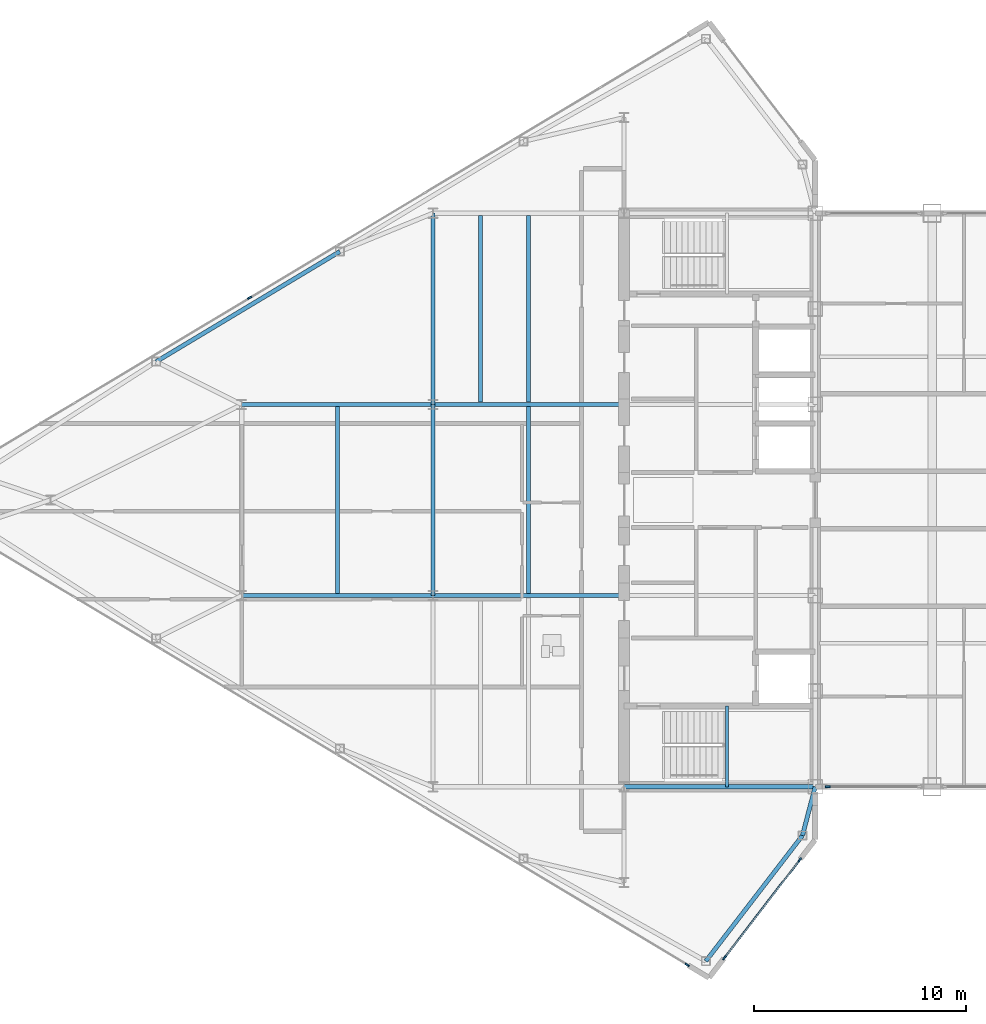
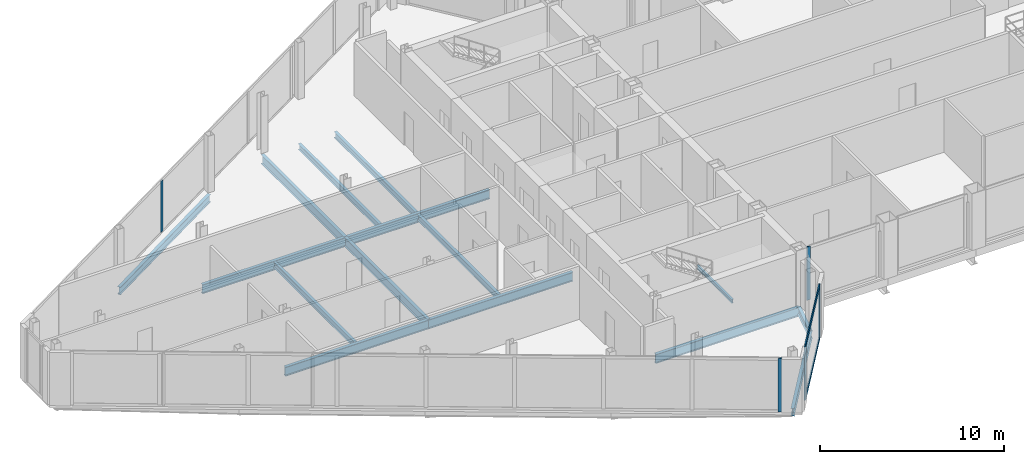
# One storey, part 9 of 29: 15 beams, 7 members, 4 elements without a shape of their own.
"""IFC4 building model written with IfcOpenShell, lengths in metres."""

from ifc_helpers import new_model, si_unit, direction, frame, origin, origin_2d, place, context, subcontext, project, spatial, rectangle, i_section, extrude, source, transform, mapped, material, layer, layer_set, material_profile, profile_set, type_object, type_shapes, element, aggregate, save


model = new_model("IFC4")

# Units and contexts
model_context = context("Model", 3, precision=1e-05, world=origin(), true_north=direction((0.0, 1.0)))
body_context = subcontext(model_context, "Body", "Model", "MODEL_VIEW")
ifc_project = project(units=[si_unit("LENGTHUNIT", "METRE"), si_unit("AREAUNIT", "SQUARE_METRE"), si_unit("VOLUMEUNIT", "CUBIC_METRE"), si_unit("PLANEANGLEUNIT", "RADIAN"), si_unit("MASSUNIT", "GRAM", prefix="KILO")], contexts=[model_context])

# Site, building, storey
site_placement = place(None, origin())
site = spatial("IfcSite", under=ifc_project, at=site_placement, CompositionType="ELEMENT")
building_placement = place(site_placement, origin())
building = spatial("IfcBuilding", under=site, at=building_placement, Name="Seokmaru Belvedere", CompositionType="ELEMENT")
storey_placement = place(building_placement, frame((0.0, 0.0, 243.14990234375)))
storey = spatial("IfcBuildingStorey", under=building, at=storey_placement, Name="L64", CompositionType="ELEMENT", Elevation=243.14990234375)

# Beams
ifc_material_1 = material(Name="Steel SM355 (355 MPa)", Category="steel")
ifc_material_profile_1 = material_profile(ifc_material_1, i_section(OverallWidth=0.199951171875, OverallDepth=0.60009765625, WebThickness=0.010986328125, FlangeThickness=0.01708984375, at=origin_2d()), Name="H-600x200x11x17")
ifc_profile_set_1 = profile_set([ifc_material_profile_1], Name="Steel SM355 (355 MPa)")
beam_type_1 = type_object("IfcBeamType", Name="Primary Floor Girder H-600", PredefinedType="BEAM", material=ifc_profile_set_1)
shared_shape_1 = source(origin(), body_context, "Body", "SweptSolid", [
    extrude(i_section(OverallWidth=0.199951171875, OverallDepth=0.60009765625, WebThickness=0.010986328125, FlangeThickness=0.01708984375, at=origin_2d()), origin(), (0.0, 0.0, 1.0), 9.0),
])
type_shapes(beam_type_1, [shared_shape_1])
for number, where, z_axis, x_axis, name in (
    (1, (-45.5, -4.5, -0.52001953125), (0.0, 1.0, 0.0), (-1.0, 0.0, 0.0), "L64 W Interior Grid Girder 2"),
    (2, (-45.5, 4.5, -0.52001953125), (0.0, 1.0, 0.0), (-1.0, 0.0, 0.0), "L64 W Interior Grid Girder 3"),
    (3, (-36.5, -13.5, -0.52001953125), (1.0, 0.0, 0.0), (0.0, 1.0, 0.0), "L64 W Core Tie Girder 1"),
    (4, (-45.5, -4.5, -0.52001953125), (1.0, 0.0, 0.0), (0.0, 1.0, 0.0), "L64 W Wing Primary Girder 2"),
    (5, (-45.5, 4.5, -0.52001953125), (1.0, 0.0, 0.0), (0.0, 1.0, 0.0), "L64 W Wing Primary Girder 3"),
    (6, (-54.5, -4.5, -0.52001953125), (1.0, 0.0, 0.0), (0.0, 1.0, 0.0), "L64 W Outer Wing Girder 1"),
    (7, (-54.5, 4.5, -0.52001953125), (1.0, 0.0, 0.0), (0.0, 1.0, 0.0), "L64 W Outer Wing Girder 2"),
):
    element("IfcBeam", number, at=place(storey_placement, frame(where, z_axis=z_axis, x_axis=x_axis)), inside=storey, type_object=beam_type_1, Name=name, PredefinedType="BEAM", context=body_context, shape_type="MappedRepresentation", body=[
        mapped(shared_shape_1, transform((0.0, 0.0, 0.0), scale=1.0)),
    ])
ifc_material_profile_2 = material_profile(ifc_material_1, i_section(OverallWidth=0.18505859375, OverallDepth=0.389892578125, WebThickness=0.008056640625, FlangeThickness=0.011962890625, at=origin_2d()), Name="H-390x185x8x12")
ifc_profile_set_2 = profile_set([ifc_material_profile_2], Name="Steel SM355 (355 MPa)")
beam_type_2 = type_object("IfcBeamType", Name="Secondary Floor Joist H-350", PredefinedType="JOIST", material=ifc_profile_set_2)
shared_shape_2 = source(origin(), body_context, "Body", "SweptSolid", [
    extrude(i_section(OverallWidth=0.18505859375, OverallDepth=0.389892578125, WebThickness=0.008056640625, FlangeThickness=0.011962890625, at=origin_2d()), origin(), (0.0, 0.0, 1.0), 8.7900390625),
])
type_shapes(beam_type_2, [shared_shape_2])
for number, where, z_axis, x_axis, name in (
    (8, (-43.25, 4.60498046875, -0.414794921875), (0.0, 1.0, 0.0), (-1.0, 0.0, 0.0), "L64 W Wing Inner Secondary Joist 2"),
    (9, (-41.0, -4.39501953125, -0.414794921875), (0.0, 1.0, 0.0), (-1.0, 0.0, 0.0), "L64 W Secondary Floor Joist 2"),
    (10, (-41.0, 4.60498046875, -0.414794921875), (0.0, 1.0, 0.0), (-1.0, 0.0, 0.0), "L64 W Secondary Floor Joist 3"),
    (11, (-50.0, -4.39501953125, -0.414794921875), (0.0, 1.0, 0.0), (-1.0, 0.0, 0.0), "L64 W Outer Bay Secondary Joist"),
):
    element("IfcBeam", number, at=place(storey_placement, frame(where, z_axis=z_axis, x_axis=x_axis)), inside=storey, type_object=beam_type_2, Name=name, PredefinedType="JOIST", context=body_context, shape_type="MappedRepresentation", body=[
        mapped(shared_shape_2, transform((0.0, 0.0, 0.0), scale=1.0)),
    ])
ifc_material_profile_3 = material_profile(ifc_material_1, i_section(OverallWidth=0.199951171875, OverallDepth=0.5, WebThickness=0.010009765625, FlangeThickness=0.01611328125, at=origin_2d()), Name="H-500x200x10x16")
ifc_profile_set_3 = profile_set([ifc_material_profile_3], Name="Steel SM355 (355 MPa)")
beam_type_3 = type_object("IfcBeamType", Name="Perimeter Spandrel Beam H-500", PredefinedType="SPANDREL", material=ifc_profile_set_3)
shared_shape_3 = source(origin(), body_context, "Body", "SweptSolid", [
    extrude(i_section(OverallWidth=0.199951171875, OverallDepth=0.5, WebThickness=0.010009765625, FlangeThickness=0.01611328125, at=origin_2d()), origin(), (0.0, 0.0, 1.0), 10.087646484375),
])
beam_1_placement = place(storey_placement, frame((-49.8798828125, 11.698974609375, -0.469970703125), z_axis=(-0.857488654804, -0.514502873542, 0.0), x_axis=(0.514502873542, -0.857488654804, 0.0)))
element("IfcBeam", 12, at=beam_1_placement, inside=storey, type_object=beam_type_3, Name="L64 W Faceted Flank Spandrel N-3", PredefinedType="SPANDREL", context=body_context, shape_type="MappedRepresentation", body=[
    mapped(shared_shape_3, transform((0.0, 0.0, 0.0), scale=1.0)),
])
shared_shape_4 = source(origin(), body_context, "Body", "SweptSolid", [
    extrude(i_section(OverallWidth=0.199951171875, OverallDepth=0.5, WebThickness=0.010009765625, FlangeThickness=0.01611328125, at=origin_2d()), origin(), (0.0, 0.0, 1.0), 7.4619140625),
])
beam_2_placement = place(storey_placement, frame((-32.649658203125, -21.71044921875, -0.469970703125), z_axis=(0.609702854945, 0.792630070507, 0.0), x_axis=(-0.792630070507, 0.609702854945, 0.0)))
element("IfcBeam", 13, at=beam_2_placement, inside=storey, type_object=beam_type_3, Name="L64 W Shoulder Chamfer Spandrel S", PredefinedType="SPANDREL", context=body_context, shape_type="MappedRepresentation", body=[
    mapped(shared_shape_4, transform((0.0, 0.0, 0.0), scale=1.0)),
])
shared_shape_5 = source(origin(), body_context, "Body", "SweptSolid", [
    extrude(i_section(OverallWidth=0.199951171875, OverallDepth=0.5, WebThickness=0.010009765625, FlangeThickness=0.01611328125, at=origin_2d()), origin(), (0.0, 0.0, 1.0), 2.373046875),
])
type_shapes(beam_type_3, [shared_shape_3, shared_shape_4, shared_shape_5])
beam_3_placement = place(storey_placement, frame((-28.10009765625, -15.7958984375, -0.469970703125), z_axis=(0.252882558842, 0.967496982648, 0.0), x_axis=(-0.967496982648, 0.252882558842, 0.0)))
element("IfcBeam", 14, at=beam_3_placement, inside=storey, type_object=beam_type_3, Name="L64 W Shoulder Spine Spandrel S", PredefinedType="SPANDREL", context=body_context, shape_type="MappedRepresentation", body=[
    mapped(shared_shape_5, transform((0.0, 0.0, 0.0), scale=1.0)),
])

# Curtain wall, members
ifc_material_2 = material(Name="Bronze Triple Insulating Glass", Category="glass")
ifc_layer = layer(ifc_material_2, 0.219970703125)
ifc_layer_set = layer_set([ifc_layer], Name="Bronze Triple Insulating Glass")
curtain_wall_type = type_object("IfcCurtainWallType", Name="Sky-Gate Bridge Panorama Curtain Wall System CW-6", PredefinedType="NOTDEFINED", material=ifc_layer_set)
curtain_wall_1_placement = place(storey_placement, origin())
curtain_wall_1 = element("IfcCurtainWall", 15, at=curtain_wall_1_placement, inside=storey, type_object=curtain_wall_type, Name="L64 Curtain Wall WF6", PredefinedType="NOTDEFINED")
ifc_material_3 = material(Name="Anodised Bronze Aluminium", Category="aluminium")
ifc_material_profile_4 = material_profile(ifc_material_3, rectangle(XDim=0.074951171875, YDim=0.179931640625, at=origin_2d()), Name="CW-T-75x180")
ifc_profile_set_4 = profile_set([ifc_material_profile_4], Name="Anodised Bronze Aluminium")
member_type_1 = type_object("IfcMemberType", Name="Bronze Unitised Transom 75x180", PredefinedType="USERDEFINED", material=ifc_profile_set_4)
shared_shape_6 = source(origin(), body_context, "Body", "SweptSolid", [
    extrude(rectangle(XDim=0.074951171875, YDim=0.179931640625, at=origin_2d()), origin(), (0.0, 0.0, 1.0), 5.74072265625),
])
type_shapes(member_type_1, [shared_shape_6])
member_1_placement = place(storey_placement, frame((-31.75, -21.525146484375, 0.03759765625), z_axis=(0.609686097287, 0.792642960465, 0.0), x_axis=(-0.792642960465, 0.609686097287, 0.0)))
member_1 = element("IfcMember", 16, at=member_1_placement, type_object=member_type_1, Name="CW:L64:WF6 Continuous Transom 1", ObjectType="TRANSOM", PredefinedType="USERDEFINED", context=body_context, shape_type="MappedRepresentation", body=[
    mapped(shared_shape_6, transform((0.0, 0.0, 0.0), scale=1.0)),
])
member_2_placement = place(storey_placement, frame((-31.75, -21.525146484375, 3.49267578125), z_axis=(0.609686097287, 0.792642960465, 0.0), x_axis=(-0.792642960465, 0.609686097287, 0.0)))
member_2 = element("IfcMember", 17, at=member_2_placement, type_object=member_type_1, Name="CW:L64:WF6 Continuous Transom 2", ObjectType="TRANSOM", PredefinedType="USERDEFINED", context=body_context, shape_type="MappedRepresentation", body=[
    mapped(shared_shape_6, transform((0.0, 0.0, 0.0), scale=1.0)),
])

# Curtain wall, member
curtain_wall_2_placement = place(storey_placement, origin())
curtain_wall_2 = element("IfcCurtainWall", 18, at=curtain_wall_2_placement, inside=storey, type_object=curtain_wall_type, Name="L64 Curtain Wall WF5", PredefinedType="NOTDEFINED")
ifc_material_profile_5 = material_profile(ifc_material_3, rectangle(XDim=0.080078125, YDim=0.219970703125, at=origin_2d()), Name="CW-M-80x220")
ifc_profile_set_5 = profile_set([ifc_material_profile_5], Name="Anodised Bronze Aluminium")
member_type_2 = type_object("IfcMemberType", Name="Bronze Unitised Mullion 80x220", PredefinedType="MULLION", material=ifc_profile_set_5)
shared_shape_7 = source(origin(), body_context, "Body", "SweptSolid", [
    extrude(rectangle(XDim=0.080078125, YDim=0.219970703125, at=origin_2d()), origin(), (0.0, 0.0, 1.0), 3.530029296875),
])
member_3_placement = place(storey_placement, frame((-33.5205078125, -21.8876953125, 0.0), z_axis=(0.0, 0.0, 1.0), x_axis=(0.514494909364, 0.85749343335, 0.0)))
member_3 = element("IfcMember", 19, at=member_3_placement, type_object=member_type_2, Name="CW:L64:WF5 Mullion 9", PredefinedType="MULLION", context=body_context, shape_type="MappedRepresentation", body=[
    mapped(shared_shape_7, transform((0.0, 0.0, 0.0), scale=1.0)),
])
aggregate(curtain_wall_2, [member_3])

# Member
member_4_placement = place(storey_placement, frame((-31.7744140625, -21.556884765625, 0.0), z_axis=(0.0, 0.0, 1.0), x_axis=(-0.792631353244, 0.609701187349, 0.0)))
member_4 = element("IfcMember", 20, at=member_4_placement, type_object=member_type_2, Name="CW:L64:WF6 Mullion 1", PredefinedType="MULLION", context=body_context, shape_type="MappedRepresentation", body=[
    mapped(shared_shape_7, transform((0.0, 0.0, 0.0), scale=1.0)),
])

member_5_placement = place(storey_placement, frame((-28.2255859375, -16.943115234375, 0.0), z_axis=(0.0, 0.0, 1.0), x_axis=(-0.792631353244, 0.609701187349, 0.0)))
member_5 = element("IfcMember", 21, at=member_5_placement, type_object=member_type_2, Name="CW:L64:WF6 Mullion 2", PredefinedType="MULLION", context=body_context, shape_type="MappedRepresentation", body=[
    mapped(shared_shape_7, transform((0.0, 0.0, 0.0), scale=1.0)),
])

aggregate(curtain_wall_1, [member_4, member_5, member_1, member_2])

# Curtain wall, member
curtain_wall_3_placement = place(storey_placement, origin())
curtain_wall_3 = element("IfcCurtainWall", 22, at=curtain_wall_3_placement, inside=storey, type_object=curtain_wall_type, Name="L64 Curtain Wall BR_S01", PredefinedType="NOTDEFINED")
member_6_placement = place(storey_placement, frame((-26.909912109375, -13.5, 0.0), z_axis=(0.0, 0.0, 1.0), x_axis=(0.0, 1.0, 0.0)))
member_6 = element("IfcMember", 23, at=member_6_placement, type_object=member_type_2, Name="CW:L64:BR_S01 Mullion 1", PredefinedType="MULLION", context=body_context, shape_type="MappedRepresentation", body=[
    mapped(shared_shape_7, transform((0.0, 0.0, 0.0), scale=1.0)),
])
aggregate(curtain_wall_3, [member_6])

curtain_wall_4_placement = place(storey_placement, origin())
curtain_wall_4 = element("IfcCurtainWall", 24, at=curtain_wall_4_placement, inside=storey, type_object=curtain_wall_type, Name="L64 Curtain Wall WF3", PredefinedType="NOTDEFINED")
shared_shape_8 = source(origin(), body_context, "Body", "SweptSolid", [
    extrude(rectangle(XDim=0.080078125, YDim=0.219970703125, at=origin_2d()), origin(), (0.0, 0.0, 1.0), 3.3798828125),
])
type_shapes(member_type_2, [shared_shape_7, shared_shape_8])
member_7_placement = place(storey_placement, frame((-54.12841796875, 9.52294921875, 0.0751953125), z_axis=(0.0, 0.0, 1.0), x_axis=(0.514494909364, -0.85749343335, 0.0)))
member_7 = element("IfcMember", 25, at=member_7_placement, type_object=member_type_2, Name="CW:L64:WF3 Mullion 6", PredefinedType="MULLION", context=body_context, shape_type="MappedRepresentation", body=[
    mapped(shared_shape_8, transform((0.0, 0.0, 0.0), scale=1.0)),
])
aggregate(curtain_wall_4, [member_7])

# Beam
ifc_material_profile_6 = material_profile(ifc_material_1, i_section(OverallWidth=0.125, OverallDepth=0.25, WebThickness=0.006103515625, FlangeThickness=0.009033203125, at=origin_2d()), Name="H-250x125x6x9")
ifc_profile_set_6 = profile_set([ifc_material_profile_6], Name="Steel SM355 (355 MPa)")
beam_type_4 = type_object("IfcBeamType", Name="Stair Mid-Landing Support Beam H-250", PredefinedType="JOIST", material=ifc_profile_set_6)
shared_shape_9 = source(origin(), body_context, "Body", "SweptSolid", [
    extrude(i_section(OverallWidth=0.125, OverallDepth=0.25, WebThickness=0.006103515625, FlangeThickness=0.009033203125, at=origin_2d()), origin(), (0.0, 0.0, 1.0), 3.800048828125),
])
type_shapes(beam_type_4, [shared_shape_9])
beam_4_placement = place(storey_placement, frame((-31.64990234375, -13.5, 1.550048828125), z_axis=(0.0, 1.0, 0.0), x_axis=(-1.0, 0.0, 0.0)))
element("IfcBeam", 26, at=beam_4_placement, inside=storey, type_object=beam_type_4, Name="L64 Stair ST-W1 Mid-Landing Support Beam 1", PredefinedType="JOIST", context=body_context, shape_type="MappedRepresentation", body=[
    mapped(shared_shape_9, transform((0.0, 0.0, 0.0), scale=1.0)),
])

save(model, "model.ifc")
